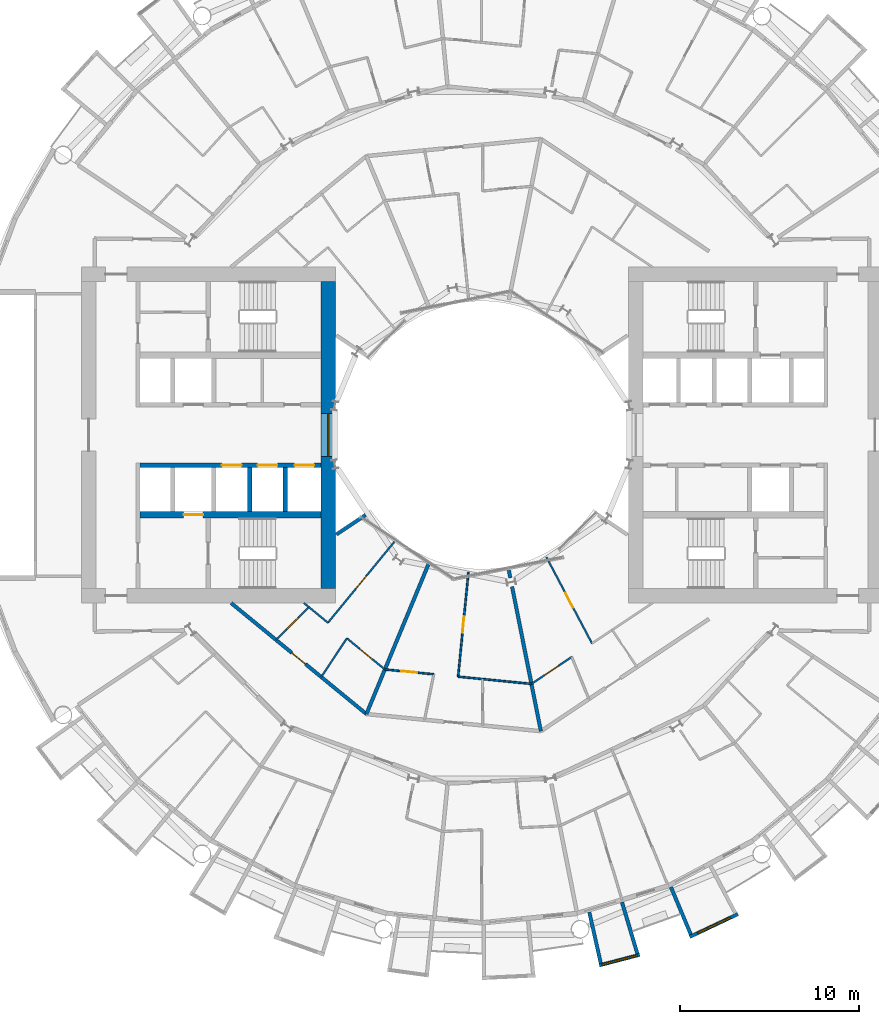
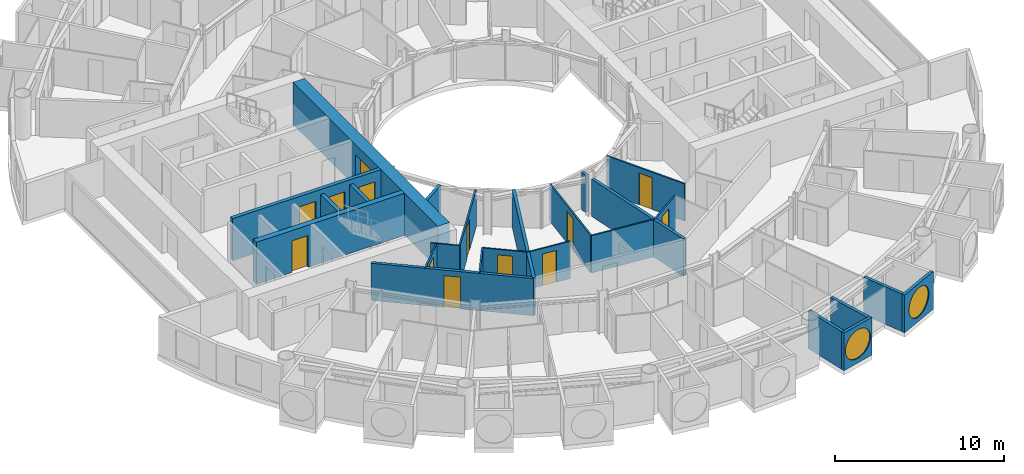
# One storey, part 15 of 26: 25 walls, 12 doors, 3 windows, 15 openings.
"""IFC4 building model written with IfcOpenShell, lengths in metres."""

import ifcopenshell
import ifcopenshell.guid

model = None  # the IFC model being written
_history = None  # IfcOwnerHistory: only IFC2X3 demands one
_inside = {}  # id of a spatial element -> (the spatial element, [elements in it])
_under = {}  # id of a project, library or spatial element -> (it, [spatial elements below it])
_declared = {}  # id of a project -> (the project, [libraries it declares])
_typed = {}  # id of a type object -> (the type object, [elements of that type])
_made_of = {}  # id of a material, layer set ... -> (it, [elements and type objects made of it])


def new_model(schema):
    """Start an empty IFC model of exactly this schema.

    Asked for "IFC4X3", IfcOpenShell would pick the latest addendum, in which some entities
    have other attributes; the version numbers below select the first issue.
    IFC2X3 requires an IfcOwnerHistory on every rooted entity: one is made here for all.
    """
    global model, _history
    if schema == "IFC4X3":
        model = ifcopenshell.file(schema_version=(4, 3, 0, 0))
    else:
        model = ifcopenshell.file(schema=schema)
    _inside.clear()
    _under.clear()
    _declared.clear()
    _typed.clear()
    _made_of.clear()
    _history = None
    if model.schema == "IFC2X3":
        org = make("IfcOrganization", Name="unknown")
        user = make(
            "IfcPersonAndOrganization",
            ThePerson=make("IfcPerson", FamilyName="unknown"),
            TheOrganization=org,
        )
        app = make(
            "IfcApplication",
            ApplicationDeveloper=org,
            Version="unknown",
            ApplicationFullName="unknown",
            ApplicationIdentifier="unknown",
        )
        _history = make(
            "IfcOwnerHistory",
            OwningUser=user,
            OwningApplication=app,
            ChangeAction="ADDED",
            CreationDate=0,
        )
    return model


def make(cls, **values):
    """One entity of the class cls with the attributes given. An attribute that is None is left unset."""
    return model.create_entity(
        cls, **{name: value for name, value in values.items() if value is not None}
    )


def rooted(cls, **values):
    """An entity with a GlobalId (a new one), such as an element, a storey or a relation."""
    return make(cls, GlobalId=ifcopenshell.guid.new(), OwnerHistory=_history, **values)


def si_unit(unit_type, name, prefix=None):
    """IfcSIUnit, for example si_unit("LENGTHUNIT", "METRE", prefix="MILLI")."""
    return make("IfcSIUnit", UnitType=unit_type, Prefix=prefix, Name=name)


def assignment(units):
    """IfcUnitAssignment: the units of a project."""
    return None if units is None else make("IfcUnitAssignment", Units=units)


def point(xyz):
    """IfcCartesianPoint."""
    return None if xyz is None else make("IfcCartesianPoint", Coordinates=xyz)


def direction(xyz):
    """IfcDirection."""
    return None if xyz is None else make("IfcDirection", DirectionRatios=xyz)


def frame(location, z_axis=None, x_axis=None):
    """IfcAxis2Placement3D, a coordinate frame: its origin and axes. An axis left out is left unset."""
    return make(
        "IfcAxis2Placement3D",
        Location=point(location),
        Axis=direction(z_axis),
        RefDirection=direction(x_axis),
    )


def frame_2d(location, x_axis=None):
    """IfcAxis2Placement2D, a coordinate frame in the plane: its origin and x axis."""
    return make(
        "IfcAxis2Placement2D", Location=point(location), RefDirection=direction(x_axis)
    )


def origin():
    """The frame at (0, 0, 0) with its axes left unset."""
    return frame((0.0, 0.0, 0.0))


def place(relative_to, where):
    """IfcLocalPlacement: puts the frame where relative to a parent placement (None: the world)."""
    return make(
        "IfcLocalPlacement", PlacementRelTo=relative_to, RelativePlacement=where
    )


def context(
    kind, dimensions, precision=None, world=None, true_north=None, identifier=None
):
    """IfcGeometricRepresentationContext, for example the 3D "Model" context."""
    return make(
        "IfcGeometricRepresentationContext",
        ContextIdentifier=identifier,
        ContextType=kind,
        CoordinateSpaceDimension=dimensions,
        Precision=precision,
        WorldCoordinateSystem=world,
        TrueNorth=true_north,
    )


def subcontext(parent, identifier, kind, view, scale=None):
    """IfcGeometricRepresentationSubContext, for example "Body" below "Model"."""
    return make(
        "IfcGeometricRepresentationSubContext",
        ContextIdentifier=identifier,
        ContextType=kind,
        ParentContext=parent,
        TargetScale=scale,
        TargetView=view,
    )


def project(units=None, contexts=None):
    """IfcProject with its units and contexts."""
    return rooted(
        "IfcProject",
        Name="project",
        RepresentationContexts=contexts,
        UnitsInContext=assignment(units),
    )


def spatial(cls, under=None, at=None, **own):
    """A site, building, storey or space (cls), placed at a placement, below another one or the project."""
    s = rooted(cls, ObjectPlacement=at, **own)
    if under is not None:
        _under.setdefault(under.id(), (under, []))[1].append(s)
    return s


def profile(cls, at=None, kind="AREA", **sizes):
    """A parametric profile (cls). Its sizes go by their IFC names, for example OverallWidth=200.0."""
    return make(cls, ProfileType=kind, Position=at, **sizes)


def rectangle(**sizes):
    """IfcRectangleProfileDef."""
    return profile("IfcRectangleProfileDef", **sizes)


def circle(**sizes):
    """IfcCircleProfileDef."""
    return profile("IfcCircleProfileDef", **sizes)


def extrude(swept, where, along, depth):
    """IfcExtrudedAreaSolid: the profile swept, set in the frame where, extruded along a direction by depth."""
    return make(
        "IfcExtrudedAreaSolid",
        SweptArea=swept,
        Position=where,
        ExtrudedDirection=direction(along),
        Depth=depth,
    )


def shape(context_of_items, identifier, shape_type, items):
    """IfcShapeRepresentation: the items that make up one representation, for example the "Body"."""
    return make(
        "IfcShapeRepresentation",
        ContextOfItems=context_of_items,
        RepresentationIdentifier=identifier,
        RepresentationType=shape_type,
        Items=items,
    )


def material(Name=None, Category=None):
    """IfcMaterial."""
    return make("IfcMaterial", Name=Name, Category=Category)


def layer(
    of_material, thickness, ventilated=None, Name=None, Category=None, Priority=None
):
    """IfcMaterialLayer: one layer of a wall or slab, of a material (None: an air gap)."""
    return make(
        "IfcMaterialLayer",
        Material=of_material,
        LayerThickness=thickness,
        IsVentilated=ventilated,
        Name=Name,
        Category=Category,
        Priority=Priority,
    )


def layer_set(layers, Name=None):
    """IfcMaterialLayerSet."""
    return make("IfcMaterialLayerSet", MaterialLayers=layers, LayerSetName=Name)


def made_of(thing, what):
    """Note that an element or type object is made of a material, layer set ...; save() writes the relation."""
    if what is not None:
        _made_of.setdefault(what.id(), (what, []))[1].append(thing)
    return thing


def type_object(cls, material=None, **own):
    """A type object (cls), such as IfcWallType, which elements share."""
    return made_of(rooted(cls, **own), material)


def element(
    cls,
    number,
    at=None,
    inside=None,
    cuts=None,
    type_object=None,
    material=None,
    context=None,
    identifier="Body",
    shape_type=None,
    held_by="IfcProductDefinitionShape",
    body=None,
    shapes=None,
    **own,
):
    """One element of the class cls, such as IfcWall. Its Tag is "e" and its number.

    at: its placement. inside: the storey or other place that contains it. cuts: it is an
    opening in that element (IfcRelVoidsElement). A single representation is given by context,
    identifier, shape_type and body (its items); several are given by shapes. held_by: the class
    of the entity that holds the representations. save() writes the other relations.
    """
    e = rooted(cls, Tag="e%d" % number, ObjectPlacement=at, **own)
    if body is not None:
        shapes = [shape(context, identifier, shape_type, body)]
    if shapes is not None:
        e.Representation = make(held_by, Representations=shapes)
    if inside is not None:
        _inside.setdefault(inside.id(), (inside, []))[1].append(e)
    if cuts is not None:
        rooted(
            "IfcRelVoidsElement", RelatingBuildingElement=cuts, RelatedOpeningElement=e
        )
    if type_object is not None:
        _typed.setdefault(type_object.id(), (type_object, []))[1].append(e)
    return made_of(e, material)


def fill(opening, filler):
    """IfcRelFillsElement: the door or window that sits in an opening."""
    return rooted(
        "IfcRelFillsElement",
        RelatingOpeningElement=opening,
        RelatedBuildingElement=filler,
    )


def aggregate(whole, parts):
    """IfcRelAggregates: a whole, such as a stair, and the parts it consists of."""
    return rooted("IfcRelAggregates", RelatingObject=whole, RelatedObjects=parts)


def save(model, path):
    """Write the relations noted so far, then the file.

    IfcRelAggregates (storeys below a building ...), IfcRelContainedInSpatialStructure (elements
    in a storey), IfcRelDefinesByType, IfcRelAssociatesMaterial and IfcRelDeclares: one each for
    every whole, place, type object, material and project.
    """
    for whole, parts in _under.values():
        aggregate(whole, parts)
    for where, things in _inside.values():
        rooted(
            "IfcRelContainedInSpatialStructure",
            RelatedElements=things,
            RelatingStructure=where,
        )
    for kind, things in _typed.values():
        rooted("IfcRelDefinesByType", RelatedObjects=things, RelatingType=kind)
    for what, things in _made_of.values():
        rooted("IfcRelAssociatesMaterial", RelatedObjects=things, RelatingMaterial=what)
    for by, libraries in _declared.values():
        rooted("IfcRelDeclares", RelatingContext=by, RelatedDefinitions=libraries)
    model.write(path)


model = new_model("IFC4")

# Units and contexts
model_context = context("Model", 3, precision=1e-05, world=origin(), true_north=direction((0.0, 1.0)))
body_context = subcontext(model_context, "Body", "Model", "MODEL_VIEW")
ifc_project = project(units=[si_unit("LENGTHUNIT", "METRE"), si_unit("AREAUNIT", "SQUARE_METRE"), si_unit("VOLUMEUNIT", "CUBIC_METRE"), si_unit("PLANEANGLEUNIT", "RADIAN"), si_unit("MASSUNIT", "GRAM", prefix="KILO")], contexts=[model_context])

# Site, building, storey
site_placement = place(None, origin())
site = spatial("IfcSite", under=ifc_project, at=site_placement, CompositionType="ELEMENT")
building_placement = place(site_placement, origin())
building = spatial("IfcBuilding", under=site, at=building_placement, Name="Maasbend Ring Residences", CompositionType="ELEMENT")
storey_placement = place(building_placement, frame((0.0, 0.0, 25.85009765625)))
storey = spatial("IfcBuildingStorey", under=building, at=storey_placement, Name="L06", CompositionType="ELEMENT", Elevation=25.85009765625)

# Wall, openings, doors
ifc_material_1 = material(Name="Concrete C70/85", Category="concrete")
ifc_layer_1 = layer(ifc_material_1, 0.25)
ifc_layer_set_1 = layer_set([ifc_layer_1], Name="Concrete C70/85")
wall_type_1 = type_object("IfcWallType", Name="CORE WALL 250 C70/85", PredefinedType="SHEAR", material=ifc_layer_set_1)
wall_1_placement = place(storey_placement, frame((-9.0, -1.699951171875, 0.0), z_axis=(0.0, 0.0, 1.0), x_axis=(-1.0, 0.0, 0.0)))
wall_1 = element("IfcWall", 1, at=wall_1_placement, inside=storey, type_object=wall_type_1, Name="L06 core W wall SPN", PredefinedType="SHEAR", context=body_context, shape_type="SweptSolid", body=[
    extrude(rectangle(XDim=10.14990234375, YDim=0.25, at=frame_2d((5.074951171875, 0.0))), origin(), (0.0, 0.0, 1.0), 3.0498046875),
])
opening_1_placement = place(wall_1_placement, frame((0.387451171875, 0.0, 0.0)))
opening_1 = element("IfcOpeningElement", 2, at=opening_1_placement, cuts=wall_1, Name="Opening LD-W0601", PredefinedType="OPENING", context=body_context, shape_type="SweptSolid", body=[
    extrude(rectangle(XDim=1.10009765625, YDim=2.300048828125, at=frame_2d((0.550048828125, 1.14990234375))), frame((0.0, 0.135009765625, 0.0), z_axis=(0.0, -1.0, 0.0), x_axis=(1.0, 0.0, 0.0)), (0.0, 0.0, 1.0), 0.27001953125),
])
opening_2_placement = place(wall_1_placement, frame((2.449951171875, 0.0, 0.0)))
opening_2 = element("IfcOpeningElement", 3, at=opening_2_placement, cuts=wall_1, Name="Opening LD-W0602", PredefinedType="OPENING", context=body_context, shape_type="SweptSolid", body=[
    extrude(rectangle(XDim=1.10009765625, YDim=2.300048828125, at=frame_2d((0.550048828125, 1.14990234375))), frame((0.0, 0.135009765625, 0.0), z_axis=(0.0, -1.0, 0.0), x_axis=(1.0, 0.0, 0.0)), (0.0, 0.0, 1.0), 0.27001953125),
])
opening_3_placement = place(wall_1_placement, frame((4.449951171875, 0.0, 0.0)))
opening_3 = element("IfcOpeningElement", 4, at=opening_3_placement, cuts=wall_1, Name="Opening LD-W0603", PredefinedType="OPENING", context=body_context, shape_type="SweptSolid", body=[
    extrude(rectangle(XDim=1.10009765625, YDim=2.300048828125, at=frame_2d((0.550048828125, 1.14990234375))), frame((0.0, 0.135009765625, 0.0), z_axis=(0.0, -1.0, 0.0), x_axis=(1.0, 0.0, 0.0)), (0.0, 0.0, 1.0), 0.27001953125),
])
ifc_material_2 = material(Name="Stainless steel 316", Category="steel")
door_type_1 = type_object("IfcDoorType", Name="LANDING DOOR 1100 X 2300 FD60", OperationType="DOUBLE_DOOR_SLIDING", PredefinedType="DOOR", material=ifc_material_2)
door_1_placement = place(opening_1_placement, origin())
door_1 = element("IfcDoor", 5, at=door_1_placement, inside=storey, type_object=door_type_1, Name="Landing door LR-W1 L06", OperationType="DOUBLE_DOOR_SLIDING", OverallHeight=2.300048828125, OverallWidth=1.10009765625, PredefinedType="DOOR", context=body_context, shape_type="SweptSolid", body=[
    extrude(rectangle(XDim=1.10009765625, YDim=2.300048828125, at=frame_2d((0.550048828125, 1.14990234375))), frame((0.0, 0.02490234375, 0.0), z_axis=(0.0, -1.0, 0.0), x_axis=(1.0, 0.0, 0.0)), (0.0, 0.0, 1.0), 0.050048828125),
])
fill(opening_1, door_1)
door_2_placement = place(opening_2_placement, origin())
door_2 = element("IfcDoor", 6, at=door_2_placement, inside=storey, type_object=door_type_1, Name="Landing door LR-W2 L06", OperationType="DOUBLE_DOOR_SLIDING", OverallHeight=2.300048828125, OverallWidth=1.10009765625, PredefinedType="DOOR", context=body_context, shape_type="SweptSolid", body=[
    extrude(rectangle(XDim=1.10009765625, YDim=2.300048828125, at=frame_2d((0.550048828125, 1.14990234375))), frame((0.0, 0.02490234375, 0.0), z_axis=(0.0, -1.0, 0.0), x_axis=(1.0, 0.0, 0.0)), (0.0, 0.0, 1.0), 0.050048828125),
])
fill(opening_2, door_2)
door_3_placement = place(opening_3_placement, origin())
door_3 = element("IfcDoor", 7, at=door_3_placement, inside=storey, type_object=door_type_1, Name="Landing door LR-W3 L06", OperationType="DOUBLE_DOOR_SLIDING", OverallHeight=2.300048828125, OverallWidth=1.10009765625, PredefinedType="DOOR", context=body_context, shape_type="SweptSolid", body=[
    extrude(rectangle(XDim=1.10009765625, YDim=2.300048828125, at=frame_2d((0.550048828125, 1.14990234375))), frame((0.0, 0.02490234375, 0.0), z_axis=(0.0, -1.0, 0.0), x_axis=(1.0, 0.0, 0.0)), (0.0, 0.0, 1.0), 0.050048828125),
])
fill(opening_3, door_3)

# Wall, opening, door
ifc_material_3 = material(Name="Concrete C70/85", Category="concrete")
ifc_layer_2 = layer(ifc_material_3, 0.375)
ifc_layer_set_2 = layer_set([ifc_layer_2], Name="Concrete C70/85")
wall_type_2 = type_object("IfcWallType", Name="CORE WALL 375 C70/85", PredefinedType="SHEAR", material=ifc_layer_set_2)
wall_2_placement = place(storey_placement, frame((-9.0, -4.46240234375, 0.0), z_axis=(0.0, 0.0, 1.0), x_axis=(-1.0, 0.0, 0.0)))
wall_2 = element("IfcWall", 8, at=wall_2_placement, inside=storey, type_object=wall_type_2, Name="L06 core W wall BN", PredefinedType="SHEAR", context=body_context, shape_type="SweptSolid", body=[
    extrude(rectangle(XDim=10.14990234375, YDim=0.375, at=frame_2d((5.074951171875, 0.0))), origin(), (0.0, 0.0, 1.0), 3.0498046875),
])
opening_4_placement = place(wall_2_placement, frame((6.60009765625, 0.0, 0.0)))
opening_4 = element("IfcOpeningElement", 9, at=opening_4_placement, cuts=wall_2, Name="Opening LD-W0604", PredefinedType="OPENING", context=body_context, shape_type="SweptSolid", body=[
    extrude(rectangle(XDim=1.10009765625, YDim=2.300048828125, at=frame_2d((0.550048828125, 1.14990234375))), frame((0.0, 0.197509765625, 0.0), z_axis=(0.0, -1.0, 0.0), x_axis=(1.0, 0.0, 0.0)), (0.0, 0.0, 1.0), 0.39501953125),
])
door_4_placement = place(opening_4_placement, origin())
door_4 = element("IfcDoor", 10, at=door_4_placement, inside=storey, type_object=door_type_1, Name="Landing door FF-W L06", OperationType="DOUBLE_DOOR_SLIDING", OverallHeight=2.300048828125, OverallWidth=1.10009765625, PredefinedType="DOOR", context=body_context, shape_type="SweptSolid", body=[
    extrude(rectangle(XDim=1.10009765625, YDim=2.300048828125, at=frame_2d((0.550048828125, 1.14990234375))), frame((0.0, 0.02490234375, 0.0), z_axis=(0.0, -1.0, 0.0), x_axis=(1.0, 0.0, 0.0)), (0.0, 0.0, 1.0), 0.050048828125),
])
fill(opening_4, door_4)

# Wall, opening, window
ifc_material_4 = material(Name="Concrete C70/85", Category="concrete")
ifc_layer_3 = layer(ifc_material_4, 0.800048828125)
ifc_layer_set_3 = layer_set([ifc_layer_3], Name="Concrete C70/85")
wall_type_3 = type_object("IfcWallType", Name="CORE WALL 800 C70/85", PredefinedType="SHEAR", material=ifc_layer_set_3)
wall_3_placement = place(storey_placement, frame((-8.60009765625, 8.60009765625, 0.0), z_axis=(0.0, 0.0, 1.0), x_axis=(0.0, -1.0, 0.0)))
wall_3 = element("IfcWall", 11, at=wall_3_placement, inside=storey, type_object=wall_type_3, Name="L06 core W wall PIN", PredefinedType="SHEAR", context=body_context, shape_type="SweptSolid", body=[
    extrude(rectangle(XDim=17.2001953125, YDim=0.800048828125, at=frame_2d((8.60009765625, 0.0))), origin(), (0.0, 0.0, 1.0), 3.0498046875),
])
opening_5_placement = place(wall_3_placement, frame((7.39990234375, 0.0, 0.10009765625)))
opening_5 = element("IfcOpeningElement", 12, at=opening_5_placement, cuts=wall_3, Name="Opening W-W0601", PredefinedType="OPENING", context=body_context, shape_type="SweptSolid", body=[
    extrude(rectangle(XDim=2.39990234375, YDim=2.199951171875, at=frame_2d((1.199951171875, 1.10009765625))), frame((0.0, 0.41015625, 0.0), z_axis=(0.0, -1.0, 0.0), x_axis=(1.0, 0.0, 0.0)), (0.0, 0.0, 1.0), 0.820068359375),
])
ifc_material_5 = material(Name="Aluminium frame and clear glass", Category="aluminium")
window_type_1 = type_object("IfcWindowType", Name="FIXED WINDOW 2400 X 2200", PartitioningType="SINGLE_PANEL", PredefinedType="WINDOW", material=ifc_material_5)
window_1_placement = place(opening_5_placement, origin())
window_1 = element("IfcWindow", 13, at=window_1_placement, inside=storey, type_object=window_type_1, Name="Lobby window L06", OverallHeight=2.199951171875, OverallWidth=2.39990234375, PartitioningType="SINGLE_PANEL", PredefinedType="WINDOW", context=body_context, shape_type="SweptSolid", body=[
    extrude(rectangle(XDim=2.39990234375, YDim=2.199951171875, at=frame_2d((1.199951171875, 1.10009765625))), frame((0.0, 0.030029296875, 0.0), z_axis=(0.0, -1.0, 0.0), x_axis=(1.0, 0.0, 0.0)), (0.0, 0.0, 1.0), 0.06005859375),
])
fill(opening_5, window_1)

# Wall, opening, door
ifc_material_6 = material(Name="Concrete C30/37", Category="concrete")
ifc_layer_4 = layer(ifc_material_6, 0.199951171875)
ifc_layer_set_4 = layer_set([ifc_layer_4], Name="Concrete C30/37")
wall_type_4 = type_object("IfcWallType", Name="CORRIDOR WALL 200 CONCRETE", PredefinedType="PARTITIONING", material=ifc_layer_set_4)
wall_4_placement = place(storey_placement, frame((-14.0380859375, -9.402099609375, 0.0), z_axis=(0.0, 0.0, 1.0), x_axis=(0.773084654695, -0.634302858794, 0.0)))
wall_4 = element("IfcWall", 14, at=wall_4_placement, inside=storey, type_object=wall_type_4, Name="U-L06-w018", PredefinedType="PARTITIONING", context=body_context, shape_type="SweptSolid", body=[
    extrude(rectangle(XDim=9.793212890625, YDim=0.199951171875, at=frame_2d((4.896484375, 0.0))), origin(), (0.0, 0.0, 1.0), 2.699951171875),
])
opening_6_placement = place(wall_4_placement, frame((4.386962890625, 0.0, 0.0)))
opening_6 = element("IfcOpeningElement", 15, at=opening_6_placement, cuts=wall_4, Name="Opening D-0653", PredefinedType="OPENING", context=body_context, shape_type="SweptSolid", body=[
    extrude(rectangle(XDim=1.0, YDim=2.300048828125, at=frame_2d((0.5, 1.14990234375))), frame((0.0, 0.10986328125, 0.0), z_axis=(0.0, -1.0, 0.0), x_axis=(1.0, 0.0, 0.0)), (0.0, 0.0, 1.0), 0.219970703125),
])
ifc_material_7 = material(Name="Timber, fire-rated, painted", Category="wood")
door_type_2 = type_object("IfcDoorType", Name="FLAT ENTRANCE DOOR 1000 X 2300 FIRE-RATED", OperationType="NOTDEFINED", PredefinedType="DOOR", material=ifc_material_7)
door_5_placement = place(opening_6_placement, origin())
door_5 = element("IfcDoor", 16, at=door_5_placement, inside=storey, type_object=door_type_2, Name="D-0653", OperationType="SINGLE_SWING_LEFT", OverallHeight=2.300048828125, OverallWidth=1.0, PredefinedType="DOOR", context=body_context, shape_type="SweptSolid", body=[
    extrude(rectangle(XDim=1.0, YDim=2.300048828125, at=frame_2d((0.5, 1.14990234375))), frame((0.0, 0.02490234375, 0.0), z_axis=(0.0, -1.0, 0.0), x_axis=(1.0, 0.0, 0.0)), (0.0, 0.0, 1.0), 0.050048828125),
])
fill(opening_6, door_5)

# Wall, opening, window
ifc_material_8 = material(Name="Pale anodised aluminium panel", Category="aluminium")
ifc_layer_5 = layer(ifc_material_8, 0.199951171875)
ifc_layer_set_5 = layer_set([ifc_layer_5], Name="EW-BOX")
wall_type_5 = type_object("IfcWallType", Name="EW-BOX", PredefinedType="SOLIDWALL", material=ifc_layer_set_5)
wall_5_placement = place(storey_placement, frame((6.568115234375, -29.681884765625, -0.030029296875), z_axis=(0.0, 0.0, 1.0), x_axis=(0.967377102346, 0.253340762326, 0.0)))
wall_5 = element("IfcWall", 17, at=wall_5_placement, inside=storey, type_object=wall_type_5, Name="Box front S13", PredefinedType="SOLIDWALL", context=body_context, shape_type="SweptSolid", body=[
    extrude(rectangle(XDim=2.3359375, YDim=0.199951171875, at=frame_2d((1.16796875, 0.0))), origin(), (0.0, 0.0, 1.0), 2.72998046875),
])
opening_7_placement = place(wall_5_placement, frame((0.128173828125, 0.0, 0.330078125)))
opening_7 = element("IfcOpeningElement", 18, at=opening_7_placement, cuts=wall_5, Name="Opening W-RD", PredefinedType="OPENING", context=body_context, shape_type="SweptSolid", body=[
    extrude(circle(Radius=1.0400390625, at=frame_2d((1.0400390625, 1.0400390625))), frame((0.0, 0.10986328125, 0.0), z_axis=(0.0, -1.0, 0.0), x_axis=(1.0, 0.0, 0.0)), (0.0, 0.0, 1.0), 0.219970703125),
])
ifc_material_9 = material(Name="Aluminium and clear glass", Category="aluminium")
window_type_2 = type_object("IfcWindowType", Name="W-RD", PartitioningType="SINGLE_PANEL", PredefinedType="WINDOW", material=ifc_material_9)
window_2_placement = place(opening_7_placement, origin())
window_2 = element("IfcWindow", 19, at=window_2_placement, inside=storey, type_object=window_type_2, Name="Round window S13", OverallHeight=2.080078125, OverallWidth=2.080078125, PartitioningType="SINGLE_PANEL", PredefinedType="WINDOW", context=body_context, shape_type="SweptSolid", body=[
    extrude(circle(Radius=1.0400390625, at=frame_2d((1.0400390625, 1.0400390625))), frame((0.0, 0.030029296875, 0.0), z_axis=(0.0, -1.0, 0.0), x_axis=(1.0, 0.0, 0.0)), (0.0, 0.0, 1.0), 0.06005859375),
])
fill(opening_7, window_2)

# Walls
wall_6_placement = place(storey_placement, frame((6.00390625, -26.699951171875, -0.030029296875), z_axis=(0.0, 0.0, 1.0), x_axis=(0.219609259383, -0.975587911566, 0.0)))
element("IfcWall", 20, at=wall_6_placement, inside=storey, type_object=wall_type_5, Name="Box side wall S13 left", PredefinedType="SOLIDWALL", context=body_context, shape_type="SweptSolid", body=[
    extrude(rectangle(XDim=2.9326171875, YDim=0.199951171875, at=frame_2d((1.46630859375, 0.0))), origin(), (0.0, 0.0, 1.0), 2.72998046875),
])
wall_7_placement = place(storey_placement, frame((7.8369140625, -26.14404296875, -0.030029296875), z_axis=(0.0, 0.0, 1.0), x_axis=(0.287064767992, -0.957911174889, 0.0)))
element("IfcWall", 21, at=wall_7_placement, inside=storey, type_object=wall_type_5, Name="Box side wall S13 right", PredefinedType="SOLIDWALL", context=body_context, shape_type="SweptSolid", body=[
    extrude(rectangle(XDim=3.00634765625, YDim=0.199951171875, at=frame_2d((1.503173828125, 0.0))), origin(), (0.0, 0.0, 1.0), 2.72998046875),
])

# Wall, opening, window
wall_8_placement = place(storey_placement, frame((11.62890625, -28.087890625, -0.030029296875), z_axis=(0.0, 0.0, 1.0), x_axis=(0.904000060331, 0.427532327342, 0.0)))
wall_8 = element("IfcWall", 22, at=wall_8_placement, inside=storey, type_object=wall_type_5, Name="Box front S15", PredefinedType="SOLIDWALL", context=body_context, shape_type="SweptSolid", body=[
    extrude(rectangle(XDim=2.993408203125, YDim=0.199951171875, at=frame_2d((1.49658203125, 0.0))), origin(), (0.0, 0.0, 1.0), 2.72998046875),
])
opening_8_placement = place(wall_8_placement, frame((0.45654296875, 0.0, 0.330078125)))
opening_8 = element("IfcOpeningElement", 23, at=opening_8_placement, cuts=wall_8, Name="Opening W-RD", PredefinedType="OPENING", context=body_context, shape_type="SweptSolid", body=[
    extrude(circle(Radius=1.0400390625, at=frame_2d((1.0400390625, 1.0400390625))), frame((0.0, 0.10986328125, 0.0), z_axis=(0.0, -1.0, 0.0), x_axis=(1.0, 0.0, 0.0)), (0.0, 0.0, 1.0), 0.219970703125),
])
window_3_placement = place(opening_8_placement, origin())
window_3 = element("IfcWindow", 24, at=window_3_placement, inside=storey, type_object=window_type_2, Name="Round window S15", OverallHeight=2.080078125, OverallWidth=2.080078125, PartitioningType="SINGLE_PANEL", PredefinedType="WINDOW", context=body_context, shape_type="SweptSolid", body=[
    extrude(circle(Radius=1.0400390625, at=frame_2d((1.0400390625, 1.0400390625))), frame((0.0, 0.030029296875, 0.0), z_axis=(0.0, -1.0, 0.0), x_axis=(1.0, 0.0, 0.0)), (0.0, 0.0, 1.0), 0.06005859375),
])
fill(opening_8, window_3)

# Walls
wall_9_placement = place(storey_placement, frame((10.574951171875, -25.294921875, -0.030029296875), z_axis=(0.0, 0.0, 1.0), x_axis=(0.385697364644, -0.922625353492, 0.0)))
element("IfcWall", 25, at=wall_9_placement, inside=storey, type_object=wall_type_5, Name="Box side wall S15 left", PredefinedType="SOLIDWALL", context=body_context, shape_type="SweptSolid", body=[
    extrude(rectangle(XDim=2.88330078125, YDim=0.199951171875, at=frame_2d((1.441650390625, 0.0))), origin(), (0.0, 0.0, 1.0), 2.72998046875),
])
ifc_material_10 = material(Name="Gypsum board on steel studs", Category="steel")
ifc_layer_6 = layer(ifc_material_10, 0.10009765625)
ifc_layer_set_6 = layer_set([ifc_layer_6], Name="PARTITION 100 GYPSUM")
wall_type_6 = type_object("IfcWallType", Name="PARTITION 100 GYPSUM", PredefinedType="PARTITIONING", material=ifc_layer_set_6)
wall_10_placement = place(storey_placement, frame((-9.970947265625, -9.39599609375, 0.0), z_axis=(0.0, 0.0, 1.0), x_axis=(0.77321028337, -0.634149712363, 0.0)))
element("IfcWall", 26, at=wall_10_placement, inside=storey, type_object=wall_type_6, Name="U-L06-w021", PredefinedType="PARTITIONING", context=body_context, shape_type="SweptSolid", body=[
    extrude(rectangle(XDim=1.74853515625, YDim=0.10009765625, at=frame_2d((0.874267578125, 0.0))), origin(), (0.0, 0.0, 1.0), 2.699951171875),
])

# Wall, opening, door
wall_11_placement = place(storey_placement, frame((-7.55810546875, -11.3759765625, 0.0), z_axis=(0.0, 0.0, 1.0), x_axis=(0.773049907698, -0.634345205868, 0.0)))
wall_11 = element("IfcWall", 27, at=wall_11_placement, inside=storey, type_object=wall_type_6, Name="U-L06-w022", PredefinedType="PARTITIONING", context=body_context, shape_type="SweptSolid", body=[
    extrude(rectangle(XDim=2.74755859375, YDim=0.10009765625, at=frame_2d((1.373779296875, 0.0))), origin(), (0.0, 0.0, 1.0), 2.699951171875),
])
opening_9_placement = place(wall_11_placement, frame((0.924072265625, 0.0, 0.0)))
opening_9 = element("IfcOpeningElement", 28, at=opening_9_placement, cuts=wall_11, Name="Opening D-0654", PredefinedType="OPENING", context=body_context, shape_type="SweptSolid", body=[
    extrude(rectangle(XDim=0.89990234375, YDim=2.300048828125, at=frame_2d((0.449951171875, 1.14990234375))), frame((0.0, 0.06005859375, 0.0), z_axis=(0.0, -1.0, 0.0), x_axis=(1.0, 0.0, 0.0)), (0.0, 0.0, 1.0), 0.1201171875),
])
ifc_material_11 = material(Name="Timber, painted", Category="wood")
door_type_3 = type_object("IfcDoorType", Name="INTERNAL DOOR 900 X 2300", OperationType="NOTDEFINED", PredefinedType="DOOR", material=ifc_material_11)
door_6_placement = place(opening_9_placement, origin())
door_6 = element("IfcDoor", 29, at=door_6_placement, inside=storey, type_object=door_type_3, Name="D-0654", OperationType="SINGLE_SWING_LEFT", OverallHeight=2.300048828125, OverallWidth=0.89990234375, PredefinedType="DOOR", context=body_context, shape_type="SweptSolid", body=[
    extrude(rectangle(XDim=0.89990234375, YDim=2.300048828125, at=frame_2d((0.449951171875, 1.14990234375))), frame((0.0, 0.02490234375, 0.0), z_axis=(0.0, -1.0, 0.0), x_axis=(1.0, 0.0, 0.0)), (0.0, 0.0, 1.0), 0.050048828125),
])
fill(opening_9, door_6)

wall_12_placement = place(storey_placement, frame((-5.43408203125, -13.1201171875, 0.0), z_axis=(0.0, 0.0, 1.0), x_axis=(0.99520549403, -0.097806056318, 0.0)))
wall_12 = element("IfcWall", 30, at=wall_12_placement, inside=storey, type_object=wall_type_6, Name="U-L06-w023", PredefinedType="PARTITIONING", context=body_context, shape_type="SweptSolid", body=[
    extrude(rectangle(XDim=2.748291015625, YDim=0.10009765625, at=frame_2d((1.3740234375, 0.0))), origin(), (0.0, 0.0, 1.0), 2.699951171875),
])
opening_10_placement = place(wall_12_placement, frame((0.924072265625, 0.0, 0.0)))
opening_10 = element("IfcOpeningElement", 31, at=opening_10_placement, cuts=wall_12, Name="Opening D-0658", PredefinedType="OPENING", context=body_context, shape_type="SweptSolid", body=[
    extrude(rectangle(XDim=0.89990234375, YDim=2.300048828125, at=frame_2d((0.449951171875, 1.14990234375))), frame((0.0, 0.06005859375, 0.0), z_axis=(0.0, -1.0, 0.0), x_axis=(1.0, 0.0, 0.0)), (0.0, 0.0, 1.0), 0.1201171875),
])
door_7_placement = place(opening_10_placement, origin())
door_7 = element("IfcDoor", 32, at=door_7_placement, inside=storey, type_object=door_type_3, Name="D-0658", OperationType="SINGLE_SWING_LEFT", OverallHeight=2.300048828125, OverallWidth=0.89990234375, PredefinedType="DOOR", context=body_context, shape_type="SweptSolid", body=[
    extrude(rectangle(XDim=0.89990234375, YDim=2.300048828125, at=frame_2d((0.449951171875, 1.14990234375))), frame((0.0, 0.02490234375, 0.0), z_axis=(0.0, -1.0, 0.0), x_axis=(1.0, 0.0, 0.0)), (0.0, 0.0, 1.0), 0.050048828125),
])
fill(opening_10, door_7)

# Wall
wall_13_placement = place(storey_placement, frame((-1.330078125, -13.52392578125, 0.0), z_axis=(0.0, 0.0, 1.0), x_axis=(0.995206960104, -0.097791137432, 0.0)))
element("IfcWall", 33, at=wall_13_placement, inside=storey, type_object=wall_type_6, Name="U-L06-w024", PredefinedType="PARTITIONING", context=body_context, shape_type="SweptSolid", body=[
    extrude(rectangle(XDim=4.121826171875, YDim=0.10009765625, at=frame_2d((2.06103515625, 0.0))), origin(), (0.0, 0.0, 1.0), 2.699951171875),
])

# Wall, opening, door
wall_14_placement = place(storey_placement, frame((2.77001953125, -13.927001953125, 0.0), z_axis=(0.0, 0.0, 1.0), x_axis=(0.831538390496, 0.555467285384, 0.0)))
wall_14 = element("IfcWall", 34, at=wall_14_placement, inside=storey, type_object=wall_type_6, Name="U-L06-w025", PredefinedType="PARTITIONING", context=body_context, shape_type="SweptSolid", body=[
    extrude(rectangle(XDim=2.716796875, YDim=0.10009765625, at=frame_2d((1.3583984375, 0.0))), origin(), (0.0, 0.0, 1.0), 2.699951171875),
])
opening_11_placement = place(wall_14_placement, frame((0.907958984375, 0.0, 0.0)))
opening_11 = element("IfcOpeningElement", 35, at=opening_11_placement, cuts=wall_14, Name="Opening D-0662", PredefinedType="OPENING", context=body_context, shape_type="SweptSolid", body=[
    extrude(rectangle(XDim=0.89990234375, YDim=2.300048828125, at=frame_2d((0.449951171875, 1.14990234375))), frame((0.0, 0.06005859375, 0.0), z_axis=(0.0, -1.0, 0.0), x_axis=(1.0, 0.0, 0.0)), (0.0, 0.0, 1.0), 0.1201171875),
])
door_8_placement = place(opening_11_placement, origin())
door_8 = element("IfcDoor", 36, at=door_8_placement, inside=storey, type_object=door_type_3, Name="D-0662", OperationType="SINGLE_SWING_RIGHT", OverallHeight=2.300048828125, OverallWidth=0.89990234375, PredefinedType="DOOR", context=body_context, shape_type="SweptSolid", body=[
    extrude(rectangle(XDim=0.89990234375, YDim=2.300048828125, at=frame_2d((0.449951171875, 1.14990234375))), frame((0.0, 0.02490234375, 0.0), z_axis=(0.0, -1.0, 0.0), x_axis=(1.0, 0.0, 0.0)), (0.0, 0.0, 1.0), 0.050048828125),
])
fill(opening_11, door_8)

wall_15_placement = place(storey_placement, frame((-11.52392578125, -11.464111328125, 0.0), z_axis=(0.0, 0.0, 1.0), x_axis=(0.708796844581, 0.705412668665, 0.0)))
wall_15 = element("IfcWall", 37, at=wall_15_placement, inside=storey, type_object=wall_type_6, Name="U-L06-w045", PredefinedType="PARTITIONING", context=body_context, shape_type="SweptSolid", body=[
    extrude(rectangle(XDim=2.59716796875, YDim=0.10009765625, at=frame_2d((1.298583984375, 0.0))), origin(), (0.0, 0.0, 1.0), 2.699951171875),
])
opening_12_placement = place(wall_15_placement, frame((0.84912109375, 0.0, 0.0)))
opening_12 = element("IfcOpeningElement", 38, at=opening_12_placement, cuts=wall_15, Name="Opening D-0655", PredefinedType="OPENING", context=body_context, shape_type="SweptSolid", body=[
    extrude(rectangle(XDim=0.89990234375, YDim=2.300048828125, at=frame_2d((0.449951171875, 1.14990234375))), frame((0.0, 0.06005859375, 0.0), z_axis=(0.0, -1.0, 0.0), x_axis=(1.0, 0.0, 0.0)), (0.0, 0.0, 1.0), 0.1201171875),
])
door_9_placement = place(opening_12_placement, origin())
door_9 = element("IfcDoor", 39, at=door_9_placement, inside=storey, type_object=door_type_3, Name="D-0655", OperationType="SINGLE_SWING_RIGHT", OverallHeight=2.300048828125, OverallWidth=0.89990234375, PredefinedType="DOOR", context=body_context, shape_type="SweptSolid", body=[
    extrude(rectangle(XDim=0.89990234375, YDim=2.300048828125, at=frame_2d((0.449951171875, 1.14990234375))), frame((0.0, 0.02490234375, 0.0), z_axis=(0.0, -1.0, 0.0), x_axis=(1.0, 0.0, 0.0)), (0.0, 0.0, 1.0), 0.050048828125),
])
fill(opening_12, door_9)

# Wall
wall_16_placement = place(storey_placement, frame((-8.99609375, -13.5390625, 0.0), z_axis=(0.0, 0.0, 1.0), x_axis=(0.553615197403, 0.83277260594, 0.0)))
element("IfcWall", 40, at=wall_16_placement, inside=storey, type_object=wall_type_6, Name="U-L06-w049", PredefinedType="PARTITIONING", context=body_context, shape_type="SweptSolid", body=[
    extrude(rectangle(XDim=2.597412109375, YDim=0.10009765625, at=frame_2d((1.298828125, 0.0))), origin(), (0.0, 0.0, 1.0), 2.699951171875),
])

# Wall, opening, door
wall_17_placement = place(storey_placement, frame((-8.6201171875, -10.50390625, 0.0), z_axis=(0.0, 0.0, 1.0), x_axis=(0.634358693064, 0.773038840249, 0.0)))
wall_17 = element("IfcWall", 41, at=wall_17_placement, inside=storey, type_object=wall_type_6, Name="U-L06-w051", PredefinedType="PARTITIONING", context=body_context, shape_type="SweptSolid", body=[
    extrude(rectangle(XDim=5.86767578125, YDim=0.10009765625, at=frame_2d((2.933837890625, 0.0))), origin(), (0.0, 0.0, 1.0), 2.699951171875),
])
opening_13_placement = place(wall_17_placement, frame((2.48388671875, 0.0, 0.0)))
opening_13 = element("IfcOpeningElement", 42, at=opening_13_placement, cuts=wall_17, Name="Opening D-0656", PredefinedType="OPENING", context=body_context, shape_type="SweptSolid", body=[
    extrude(rectangle(XDim=0.89990234375, YDim=2.300048828125, at=frame_2d((0.449951171875, 1.14990234375))), frame((0.0, 0.06005859375, 0.0), z_axis=(0.0, -1.0, 0.0), x_axis=(1.0, 0.0, 0.0)), (0.0, 0.0, 1.0), 0.1201171875),
])
door_10_placement = place(opening_13_placement, origin())
door_10 = element("IfcDoor", 43, at=door_10_placement, inside=storey, type_object=door_type_3, Name="D-0656", OperationType="SINGLE_SWING_RIGHT", OverallHeight=2.300048828125, OverallWidth=0.89990234375, PredefinedType="DOOR", context=body_context, shape_type="SweptSolid", body=[
    extrude(rectangle(XDim=0.89990234375, YDim=2.300048828125, at=frame_2d((0.449951171875, 1.14990234375))), frame((0.0, 0.02490234375, 0.0), z_axis=(0.0, -1.0, 0.0), x_axis=(1.0, 0.0, 0.0)), (0.0, 0.0, 1.0), 0.050048828125),
])
fill(opening_13, door_10)

wall_18_placement = place(storey_placement, frame((-1.3330078125, -13.52294921875, 0.0), z_axis=(0.0, 0.0, 1.0), x_axis=(0.098144281387, 0.995172196171, 0.0)))
wall_18 = element("IfcWall", 44, at=wall_18_placement, inside=storey, type_object=wall_type_6, Name="U-L06-w062", PredefinedType="PARTITIONING", context=body_context, shape_type="SweptSolid", body=[
    extrude(rectangle(XDim=5.8681640625, YDim=0.10009765625, at=frame_2d((2.93408203125, 0.0))), origin(), (0.0, 0.0, 1.0), 2.699951171875),
])
opening_14_placement = place(wall_18_placement, frame((2.48388671875, 0.0, 0.0)))
opening_14 = element("IfcOpeningElement", 45, at=opening_14_placement, cuts=wall_18, Name="Opening D-0660", PredefinedType="OPENING", context=body_context, shape_type="SweptSolid", body=[
    extrude(rectangle(XDim=0.89990234375, YDim=2.300048828125, at=frame_2d((0.449951171875, 1.14990234375))), frame((0.0, 0.06005859375, 0.0), z_axis=(0.0, -1.0, 0.0), x_axis=(1.0, 0.0, 0.0)), (0.0, 0.0, 1.0), 0.1201171875),
])
door_11_placement = place(opening_14_placement, origin())
door_11 = element("IfcDoor", 46, at=door_11_placement, inside=storey, type_object=door_type_3, Name="D-0660", OperationType="SINGLE_SWING_RIGHT", OverallHeight=2.300048828125, OverallWidth=0.89990234375, PredefinedType="DOOR", context=body_context, shape_type="SweptSolid", body=[
    extrude(rectangle(XDim=0.89990234375, YDim=2.300048828125, at=frame_2d((0.449951171875, 1.14990234375))), frame((0.0, 0.02490234375, 0.0), z_axis=(0.0, -1.0, 0.0), x_axis=(1.0, 0.0, 0.0)), (0.0, 0.0, 1.0), 0.050048828125),
])
fill(opening_14, door_11)

wall_19_placement = place(storey_placement, frame((3.60498046875, -6.826904296875, 0.0), z_axis=(0.0, 0.0, 1.0), x_axis=(0.466976820365, -0.884269556889, 0.0)))
wall_19 = element("IfcWall", 47, at=wall_19_placement, inside=storey, type_object=wall_type_6, Name="U-L06-w073", PredefinedType="PARTITIONING", context=body_context, shape_type="SweptSolid", body=[
    extrude(rectangle(XDim=5.46923828125, YDim=0.10009765625, at=frame_2d((2.734619140625, 0.0))), origin(), (0.0, 0.0, 1.0), 2.699951171875),
])
opening_15_placement = place(wall_19_placement, frame((2.283935546875, 0.0, 0.0)))
opening_15 = element("IfcOpeningElement", 48, at=opening_15_placement, cuts=wall_19, Name="Opening D-0664", PredefinedType="OPENING", context=body_context, shape_type="SweptSolid", body=[
    extrude(rectangle(XDim=0.89990234375, YDim=2.300048828125, at=frame_2d((0.449951171875, 1.14990234375))), frame((0.0, 0.06005859375, 0.0), z_axis=(0.0, -1.0, 0.0), x_axis=(1.0, 0.0, 0.0)), (0.0, 0.0, 1.0), 0.1201171875),
])
door_12_placement = place(opening_15_placement, origin())
door_12 = element("IfcDoor", 49, at=door_12_placement, inside=storey, type_object=door_type_3, Name="D-0664", OperationType="SINGLE_SWING_RIGHT", OverallHeight=2.300048828125, OverallWidth=0.89990234375, PredefinedType="DOOR", context=body_context, shape_type="SweptSolid", body=[
    extrude(rectangle(XDim=0.89990234375, YDim=2.300048828125, at=frame_2d((0.449951171875, 1.14990234375))), frame((0.0, 0.02490234375, 0.0), z_axis=(0.0, -1.0, 0.0), x_axis=(1.0, 0.0, 0.0)), (0.0, 0.0, 1.0), 0.050048828125),
])
fill(opening_15, door_12)

# Walls
ifc_material_12 = material(Name="Concrete C30/37", Category="concrete")
ifc_layer_7 = layer(ifc_material_12, 0.199951171875)
ifc_layer_set_7 = layer_set([ifc_layer_7], Name="Concrete C30/37")
wall_type_7 = type_object("IfcWallType", Name="PARTY WALL 200 CONCRETE", PredefinedType="PARTITIONING", material=ifc_layer_set_7)
wall_20_placement = place(storey_placement, frame((-6.512939453125, -4.471923828125, 0.0), z_axis=(0.0, 0.0, 1.0), x_axis=(-0.831417956244, -0.555647533996, 0.0)))
element("IfcWall", 50, at=wall_20_placement, inside=storey, type_object=wall_type_7, Name="U-L06-w029", PredefinedType="PARTITIONING", context=body_context, shape_type="SweptSolid", body=[
    extrude(rectangle(XDim=1.9619140625, YDim=0.199951171875, at=frame_2d((0.98095703125, 0.0))), origin(), (0.0, 0.0, 1.0), 2.699951171875),
])
wall_21_placement = place(storey_placement, frame((-6.467041015625, -15.614013671875, 0.0), z_axis=(0.0, 0.0, 1.0), x_axis=(0.382646942224, 0.923894646378, 0.0)))
element("IfcWall", 51, at=wall_21_placement, inside=storey, type_object=wall_type_7, Name="U-L06-w054", PredefinedType="PARTITIONING", context=body_context, shape_type="SweptSolid", body=[
    extrude(rectangle(XDim=9.1806640625, YDim=0.199951171875, at=frame_2d((4.59033203125, 0.0))), origin(), (0.0, 0.0, 1.0), 2.699951171875),
])
wall_22_placement = place(storey_placement, frame((1.5048828125, -7.572021484375, 0.0), z_axis=(0.0, 0.0, 1.0), x_axis=(0.195788718323, -0.980646102209, 0.0)))
element("IfcWall", 52, at=wall_22_placement, inside=storey, type_object=wall_type_7, Name="U-L06-w068", PredefinedType="PARTITIONING", context=body_context, shape_type="SweptSolid", body=[
    extrude(rectangle(XDim=0.43017578125, YDim=0.199951171875, at=frame_2d((0.215087890625, 0.0))), origin(), (0.0, 0.0, 1.0), 2.699951171875),
])
wall_23_placement = place(storey_placement, frame((1.68701171875, -8.48388671875, 0.0), z_axis=(0.0, 0.0, 1.0), x_axis=(0.195171317964, -0.980769165831, 0.0)))
element("IfcWall", 53, at=wall_23_placement, inside=storey, type_object=wall_type_7, Name="U-L06-w070", PredefinedType="PARTITIONING", context=body_context, shape_type="SweptSolid", body=[
    extrude(rectangle(XDim=8.249755859375, YDim=0.199951171875, at=frame_2d((4.125, 0.0))), origin(), (0.0, 0.0, 1.0), 2.699951171875),
])
ifc_material_13 = material(Name="Concrete C30/37", Category="concrete")
ifc_layer_8 = layer(ifc_material_13, 0.25)
ifc_layer_set_8 = layer_set([ifc_layer_8], Name="Concrete C30/37")
wall_type_8 = type_object("IfcWallType", Name="SHAFT WALL 250 EI 120", PredefinedType="SOLIDWALL", material=ifc_layer_set_8)
for number, where, z_axis, x_axis, name in (
    (54, (-11.0, -1.824951171875, 0.0), (0.0, 0.0, 1.0), (0.0, -1.0, 0.0), "L06 core W wall D110N"),
    (55, (-13.0, -1.824951171875, 0.0), (0.0, 0.0, 1.0), (0.0, -1.0, 0.0), "L06 core W wall D130N"),
):
    element("IfcWall", number, at=place(storey_placement, frame(where, z_axis=z_axis, x_axis=x_axis)), inside=storey, type_object=wall_type_8, Name=name, PredefinedType="SOLIDWALL", context=body_context, shape_type="SweptSolid", body=[
        extrude(rectangle(XDim=2.449951171875, YDim=0.25, at=frame_2d((1.22509765625, 0.0))), origin(), (0.0, 0.0, 1.0), 2.699951171875),
    ])

save(model, "model.ifc")
